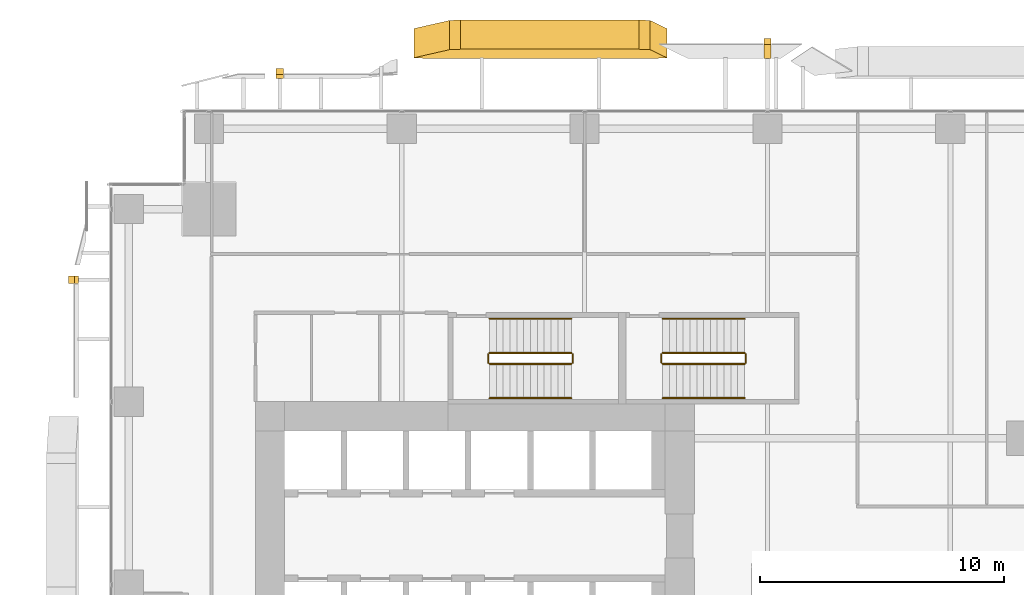
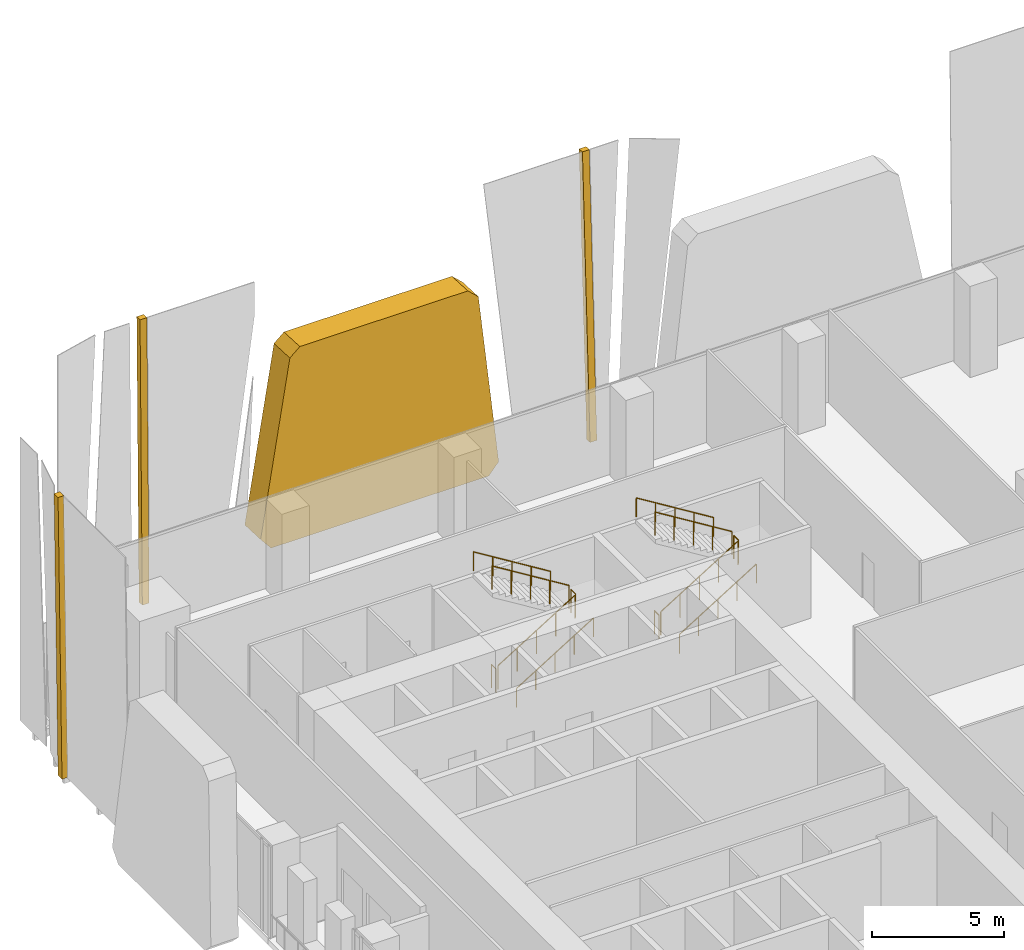
# One storey, part 35 of 37: 12 railings, 4 coverings.
"""IFC4 building model written with IfcOpenShell, lengths in metres."""

import ifcopenshell
import ifcopenshell.guid

model = None  # the IFC model being written
_history = None  # IfcOwnerHistory: only IFC2X3 demands one
_inside = {}  # id of a spatial element -> (the spatial element, [elements in it])
_under = {}  # id of a project, library or spatial element -> (it, [spatial elements below it])
_declared = {}  # id of a project -> (the project, [libraries it declares])
_typed = {}  # id of a type object -> (the type object, [elements of that type])
_made_of = {}  # id of a material, layer set ... -> (it, [elements and type objects made of it])


def new_model(schema):
    """Start an empty IFC model of exactly this schema.

    Asked for "IFC4X3", IfcOpenShell would pick the latest addendum, in which some entities
    have other attributes; the version numbers below select the first issue.
    IFC2X3 requires an IfcOwnerHistory on every rooted entity: one is made here for all.
    """
    global model, _history
    if schema == "IFC4X3":
        model = ifcopenshell.file(schema_version=(4, 3, 0, 0))
    else:
        model = ifcopenshell.file(schema=schema)
    _inside.clear()
    _under.clear()
    _declared.clear()
    _typed.clear()
    _made_of.clear()
    _history = None
    if model.schema == "IFC2X3":
        org = make("IfcOrganization", Name="unknown")
        user = make(
            "IfcPersonAndOrganization",
            ThePerson=make("IfcPerson", FamilyName="unknown"),
            TheOrganization=org,
        )
        app = make(
            "IfcApplication",
            ApplicationDeveloper=org,
            Version="unknown",
            ApplicationFullName="unknown",
            ApplicationIdentifier="unknown",
        )
        _history = make(
            "IfcOwnerHistory",
            OwningUser=user,
            OwningApplication=app,
            ChangeAction="ADDED",
            CreationDate=0,
        )
    return model


def make(cls, **values):
    """One entity of the class cls with the attributes given. An attribute that is None is left unset."""
    return model.create_entity(
        cls, **{name: value for name, value in values.items() if value is not None}
    )


def rooted(cls, **values):
    """An entity with a GlobalId (a new one), such as an element, a storey or a relation."""
    return make(cls, GlobalId=ifcopenshell.guid.new(), OwnerHistory=_history, **values)


def si_unit(unit_type, name, prefix=None):
    """IfcSIUnit, for example si_unit("LENGTHUNIT", "METRE", prefix="MILLI")."""
    return make("IfcSIUnit", UnitType=unit_type, Prefix=prefix, Name=name)


def assignment(units):
    """IfcUnitAssignment: the units of a project."""
    return None if units is None else make("IfcUnitAssignment", Units=units)


def point(xyz):
    """IfcCartesianPoint."""
    return None if xyz is None else make("IfcCartesianPoint", Coordinates=xyz)


def direction(xyz):
    """IfcDirection."""
    return None if xyz is None else make("IfcDirection", DirectionRatios=xyz)


def frame(location, z_axis=None, x_axis=None):
    """IfcAxis2Placement3D, a coordinate frame: its origin and axes. An axis left out is left unset."""
    return make(
        "IfcAxis2Placement3D",
        Location=point(location),
        Axis=direction(z_axis),
        RefDirection=direction(x_axis),
    )


def frame_2d(location, x_axis=None):
    """IfcAxis2Placement2D, a coordinate frame in the plane: its origin and x axis."""
    return make(
        "IfcAxis2Placement2D", Location=point(location), RefDirection=direction(x_axis)
    )


def origin():
    """The frame at (0, 0, 0) with its axes left unset."""
    return frame((0.0, 0.0, 0.0))


def origin_2d():
    """The frame at (0, 0) in the plane with its x axis left unset."""
    return frame_2d((0.0, 0.0))


def place(relative_to, where):
    """IfcLocalPlacement: puts the frame where relative to a parent placement (None: the world)."""
    return make(
        "IfcLocalPlacement", PlacementRelTo=relative_to, RelativePlacement=where
    )


def context(
    kind, dimensions, precision=None, world=None, true_north=None, identifier=None
):
    """IfcGeometricRepresentationContext, for example the 3D "Model" context."""
    return make(
        "IfcGeometricRepresentationContext",
        ContextIdentifier=identifier,
        ContextType=kind,
        CoordinateSpaceDimension=dimensions,
        Precision=precision,
        WorldCoordinateSystem=world,
        TrueNorth=true_north,
    )


def subcontext(parent, identifier, kind, view, scale=None):
    """IfcGeometricRepresentationSubContext, for example "Body" below "Model"."""
    return make(
        "IfcGeometricRepresentationSubContext",
        ContextIdentifier=identifier,
        ContextType=kind,
        ParentContext=parent,
        TargetScale=scale,
        TargetView=view,
    )


def project(units=None, contexts=None):
    """IfcProject with its units and contexts."""
    return rooted(
        "IfcProject",
        Name="project",
        RepresentationContexts=contexts,
        UnitsInContext=assignment(units),
    )


def spatial(cls, under=None, at=None, **own):
    """A site, building, storey or space (cls), placed at a placement, below another one or the project."""
    s = rooted(cls, ObjectPlacement=at, **own)
    if under is not None:
        _under.setdefault(under.id(), (under, []))[1].append(s)
    return s


def polyline(points):
    """IfcPolyline through the points."""
    return make("IfcPolyline", Points=[point(p) for p in points])


def profile(cls, at=None, kind="AREA", **sizes):
    """A parametric profile (cls). Its sizes go by their IFC names, for example OverallWidth=200.0."""
    return make(cls, ProfileType=kind, Position=at, **sizes)


def circle(**sizes):
    """IfcCircleProfileDef."""
    return profile("IfcCircleProfileDef", **sizes)


def outline(outer, holes=None, kind="AREA"):
    """IfcArbitraryClosedProfileDef: a profile drawn as a closed curve; with holes, ...WithVoids."""
    if holes is None:
        return make("IfcArbitraryClosedProfileDef", ProfileType=kind, OuterCurve=outer)
    return make(
        "IfcArbitraryProfileDefWithVoids",
        ProfileType=kind,
        OuterCurve=outer,
        InnerCurves=holes,
    )


def extrude(swept, where, along, depth):
    """IfcExtrudedAreaSolid: the profile swept, set in the frame where, extruded along a direction by depth."""
    return make(
        "IfcExtrudedAreaSolid",
        SweptArea=swept,
        Position=where,
        ExtrudedDirection=direction(along),
        Depth=depth,
    )


def shape(context_of_items, identifier, shape_type, items):
    """IfcShapeRepresentation: the items that make up one representation, for example the "Body"."""
    return make(
        "IfcShapeRepresentation",
        ContextOfItems=context_of_items,
        RepresentationIdentifier=identifier,
        RepresentationType=shape_type,
        Items=items,
    )


def source(mapping_origin, context_of_items, identifier, shape_type, items):
    """IfcRepresentationMap: a shape defined once, which mapped items show again and again."""
    return make(
        "IfcRepresentationMap",
        MappingOrigin=mapping_origin,
        MappedRepresentation=shape(context_of_items, identifier, shape_type, items),
    )


def transform(
    local_origin,
    x_axis=None,
    y_axis=None,
    z_axis=None,
    scale=None,
    scale2=None,
    scale3=None,
    uniform=True,
):
    """IfcCartesianTransformationOperator3D, or its non-uniform kind. x_axis, y_axis, z_axis: its Axis1, 2, 3."""
    if uniform:
        return make(
            "IfcCartesianTransformationOperator3D",
            Axis1=direction(x_axis),
            Axis2=direction(y_axis),
            LocalOrigin=point(local_origin),
            Scale=scale,
            Axis3=direction(z_axis),
        )
    return make(
        "IfcCartesianTransformationOperator3DnonUniform",
        Axis1=direction(x_axis),
        Axis2=direction(y_axis),
        LocalOrigin=point(local_origin),
        Scale=scale,
        Axis3=direction(z_axis),
        Scale2=scale2,
        Scale3=scale3,
    )


def mapped(mapping_source, mapping_target):
    """IfcMappedItem: shows the shape of a source again, moved by a transform."""
    return make(
        "IfcMappedItem", MappingSource=mapping_source, MappingTarget=mapping_target
    )


def material(Name=None, Category=None):
    """IfcMaterial."""
    return make("IfcMaterial", Name=Name, Category=Category)


def layer(
    of_material, thickness, ventilated=None, Name=None, Category=None, Priority=None
):
    """IfcMaterialLayer: one layer of a wall or slab, of a material (None: an air gap)."""
    return make(
        "IfcMaterialLayer",
        Material=of_material,
        LayerThickness=thickness,
        IsVentilated=ventilated,
        Name=Name,
        Category=Category,
        Priority=Priority,
    )


def layer_set(layers, Name=None):
    """IfcMaterialLayerSet."""
    return make("IfcMaterialLayerSet", MaterialLayers=layers, LayerSetName=Name)


def made_of(thing, what):
    """Note that an element or type object is made of a material, layer set ...; save() writes the relation."""
    if what is not None:
        _made_of.setdefault(what.id(), (what, []))[1].append(thing)
    return thing


def type_object(cls, material=None, **own):
    """A type object (cls), such as IfcWallType, which elements share."""
    return made_of(rooted(cls, **own), material)


def element(
    cls,
    number,
    at=None,
    inside=None,
    cuts=None,
    type_object=None,
    material=None,
    context=None,
    identifier="Body",
    shape_type=None,
    held_by="IfcProductDefinitionShape",
    body=None,
    shapes=None,
    **own,
):
    """One element of the class cls, such as IfcWall. Its Tag is "e" and its number.

    at: its placement. inside: the storey or other place that contains it. cuts: it is an
    opening in that element (IfcRelVoidsElement). A single representation is given by context,
    identifier, shape_type and body (its items); several are given by shapes. held_by: the class
    of the entity that holds the representations. save() writes the other relations.
    """
    e = rooted(cls, Tag="e%d" % number, ObjectPlacement=at, **own)
    if body is not None:
        shapes = [shape(context, identifier, shape_type, body)]
    if shapes is not None:
        e.Representation = make(held_by, Representations=shapes)
    if inside is not None:
        _inside.setdefault(inside.id(), (inside, []))[1].append(e)
    if cuts is not None:
        rooted(
            "IfcRelVoidsElement", RelatingBuildingElement=cuts, RelatedOpeningElement=e
        )
    if type_object is not None:
        _typed.setdefault(type_object.id(), (type_object, []))[1].append(e)
    return made_of(e, material)


def aggregate(whole, parts):
    """IfcRelAggregates: a whole, such as a stair, and the parts it consists of."""
    return rooted("IfcRelAggregates", RelatingObject=whole, RelatedObjects=parts)


def save(model, path):
    """Write the relations noted so far, then the file.

    IfcRelAggregates (storeys below a building ...), IfcRelContainedInSpatialStructure (elements
    in a storey), IfcRelDefinesByType, IfcRelAssociatesMaterial and IfcRelDeclares: one each for
    every whole, place, type object, material and project.
    """
    for whole, parts in _under.values():
        aggregate(whole, parts)
    for where, things in _inside.values():
        rooted(
            "IfcRelContainedInSpatialStructure",
            RelatedElements=things,
            RelatingStructure=where,
        )
    for kind, things in _typed.values():
        rooted("IfcRelDefinesByType", RelatedObjects=things, RelatingType=kind)
    for what, things in _made_of.values():
        rooted("IfcRelAssociatesMaterial", RelatedObjects=things, RelatingMaterial=what)
    for by, libraries in _declared.values():
        rooted("IfcRelDeclares", RelatingContext=by, RelatedDefinitions=libraries)
    model.write(path)


model = new_model("IFC4")

# Units and contexts
model_context = context("Model", 3, precision=1e-05, world=origin(), true_north=direction((0.0, 1.0)))
body_context = subcontext(model_context, "Body", "Model", "MODEL_VIEW")
ifc_project = project(units=[si_unit("LENGTHUNIT", "METRE"), si_unit("AREAUNIT", "SQUARE_METRE"), si_unit("VOLUMEUNIT", "CUBIC_METRE"), si_unit("PLANEANGLEUNIT", "RADIAN"), si_unit("MASSUNIT", "GRAM", prefix="KILO")], contexts=[model_context])

# Site, building, storey
site_placement = place(None, origin())
site = spatial("IfcSite", under=ifc_project, at=site_placement, CompositionType="ELEMENT")
building_placement = place(site_placement, origin())
building = spatial("IfcBuilding", under=site, at=building_placement, Name="Khomas Fold Tower", CompositionType="ELEMENT")
storey_placement = place(building_placement, frame((0.0, 0.0, 60.0)))
storey = spatial("IfcBuildingStorey", under=building, at=storey_placement, Name="L12", CompositionType="ELEMENT", Elevation=60.0)

# Coverings
ifc_material_1 = material(Name="Natural stone cladding", Category="masonry")
ifc_layer_1 = layer(ifc_material_1, 0.25)
ifc_layer_set_1 = layer_set([ifc_layer_1], Name="Natural stone cladding")
covering_type_1 = type_object("IfcCoveringType", Name="SK-Karibib marble stone mullion", PredefinedType="CLADDING", material=ifc_layer_set_1)
covering_1_placement = place(storey_placement, frame((6.85009765625, 55.254638671875, 0.0), z_axis=(0.0, -0.999913527075, 0.013150603512), x_axis=(0.0, 0.013150603512, 0.999913527075)))
element("IfcCovering", 1, at=covering_1_placement, inside=storey, type_object=covering_type_1, Name="OUTER SKIN mullion L12 NM099-3", PredefinedType="CLADDING", context=body_context, shape_type="SweptSolid", body=[
    extrude(outline(polyline([(0.0, 0.0), (13.051177401611568, 0.0), (13.051177401611568, -0.2998046875), (0.0, -0.2998046875), (0.0, 0.0)])), origin(), (0.0, 0.0, -1.0), 0.25),
])
covering_2_placement = place(storey_placement, frame((26.85009765625, 56.08251953125, 0.0), z_axis=(0.0, -0.99904235518, 0.043753543365), x_axis=(0.0, 0.043753543365, 0.99904235518)))
element("IfcCovering", 2, at=covering_2_placement, inside=storey, type_object=covering_type_1, Name="OUTER SKIN mullion L12 NM103-7", PredefinedType="CLADDING", context=body_context, shape_type="SweptSolid", body=[
    extrude(outline(polyline([(0.0, 0.0), (13.062558119247587, 0.0), (13.062558119247587, -0.2998046875), (0.0, -0.2998046875), (0.0, 0.0)])), origin(), (0.0, 0.0, -1.0), 0.25),
])
covering_3_placement = place(storey_placement, frame((-1.42626953125, 47.14990234375, 13.050048828125), z_axis=(0.999913527075, 0.0, 0.013150603512), x_axis=(0.013150603512, 0.0, -0.999913527075)))
element("IfcCovering", 3, at=covering_3_placement, inside=storey, type_object=covering_type_1, Name="OUTER SKIN mullion L12 WM107-9", PredefinedType="CLADDING", context=body_context, shape_type="SweptSolid", body=[
    extrude(outline(polyline([(0.0, 0.0), (13.051177401611568, 0.0), (13.051177401611568, -0.2998046875), (0.0, -0.2998046875), (0.0, 0.0)])), origin(), (0.0, 0.0, -1.0), 0.25),
])
ifc_material_2 = material(Name="Natural stone cladding", Category="masonry")
ifc_layer_2 = layer(ifc_material_2, 1.199951171875)
ifc_layer_set_2 = layer_set([ifc_layer_2], Name="Natural stone cladding")
covering_type_2 = type_object("IfcCoveringType", Name="SK-Karibib marble stone panel", PredefinedType="CLADDING", material=ifc_layer_set_2)
covering_4_placement = place(storey_placement, frame((22.185546875, 56.43896484375, 8.140625), z_axis=(-1.823468e-06, -0.999042159085, 0.043758020615), x_axis=(0.09040111896, -0.04357901529, -0.994951509933)))
element("IfcCovering", 4, at=covering_4_placement, inside=storey, type_object=covering_type_2, Name="OUTER SKIN leaf L12 NS05-1", PredefinedType="CLADDING", context=body_context, shape_type="SweptSolid", body=[
    extrude(outline(polyline([(0.0, 0.0), (7.6887141130089525, 1.1102230246251565e-16), (8.137374033394394, -0.4908112041808983), (7.279402085527152, -9.942673490219056), (6.706221331364974, -10.334355607390618), (-0.7868370395581861, -8.178910858568056), (-1.110959902700537, -7.705532840862893), (-0.4486657675047703, -0.4093584446229116), (0.0, 0.0)])), origin(), (0.0, 0.0, -1.0), 1.199951171875),
])

# Railings
ifc_material_3 = material(Name="Steel balustrade", Category="steel")
railing_type_1 = type_object("IfcRailingType", Name="Stair guard", PredefinedType="GUARDRAIL", material=ifc_material_3)
shared_shape_1 = source(origin(), body_context, "Body", "SweptSolid", [
    extrude(circle(Radius=0.02392578125, at=origin_2d()), frame((0.0, 0.0, 1.076171875), z_axis=(0.850606129759, 0.0, 0.525803396734), x_axis=(0.0, 1.0, 0.0)), (0.0, 0.0, 1.0), 3.949951171875),
    extrude(circle(Radius=0.02099609375, at=origin_2d()), origin(), (0.0, 0.0, 1.0), 1.052001953125),
    extrude(circle(Radius=0.02099609375, at=origin_2d()), frame((0.83984375, 0.0, 0.519287109375)), (0.0, 0.0, 1.0), 1.052001953125),
    extrude(circle(Radius=0.02099609375, at=origin_2d()), frame((1.679931640625, 0.0, 1.03857421875)), (0.0, 0.0, 1.0), 1.052001953125),
    extrude(circle(Radius=0.02099609375, at=origin_2d()), frame((2.52001953125, 0.0, 1.5576171875)), (0.0, 0.0, 1.0), 1.052001953125),
    extrude(circle(Radius=0.02099609375, at=origin_2d()), frame((3.35986328125, 0.0, 2.076904296875)), (0.0, 0.0, 1.0), 1.052001953125),
])
railing_1_placement = place(storey_placement, frame((15.60009765625, 43.550048828125, 0.173095703125)))
element("IfcRailing", 5, at=railing_1_placement, inside=storey, type_object=railing_type_1, Name="L12 ST1 stair guard 1", PredefinedType="GUARDRAIL", context=body_context, shape_type="MappedRepresentation", body=[
    mapped(shared_shape_1, transform((0.0, 0.0, 0.0))),
])
shared_shape_2 = source(origin(), body_context, "Body", "SweptSolid", [
    extrude(circle(Radius=0.02392578125, at=origin_2d()), frame((0.0, 0.0, 1.076171875), z_axis=(0.0, 1.0, 0.0), x_axis=(-1.0, 0.0, 0.0)), (0.0, 0.0, 1.0), 0.349853515625),
    extrude(circle(Radius=0.02099609375, at=origin_2d()), origin(), (0.0, 0.0, 1.0), 1.052001953125),
    extrude(circle(Radius=0.02099609375, at=origin_2d()), frame((0.0, 0.349853515625, 0.0)), (0.0, 0.0, 1.0), 1.052001953125),
])
for number, where, name in (
    (6, (19.010009765625, 43.60009765625, 2.25), "L12 ST1 stair guard 2"),
    (7, (15.550048828125, 43.60009765625, 0.0), "L12 ST1 stair guard 4"),
    (8, (26.110107421875, 43.60009765625, 2.25), "L12 ST3 stair guard 2"),
    (9, (22.64990234375, 43.60009765625, 0.0), "L12 ST3 stair guard 4"),
):
    element("IfcRailing", number, at=place(storey_placement, frame(where)), inside=storey, type_object=railing_type_1, Name=name, PredefinedType="GUARDRAIL", context=body_context, shape_type="MappedRepresentation", body=[
        mapped(shared_shape_2, transform((0.0, 0.0, 0.0))),
    ])
shared_shape_3 = source(origin(), body_context, "Body", "SweptSolid", [
    extrude(circle(Radius=0.02392578125, at=origin_2d()), frame((0.0, 0.0, 1.076171875), z_axis=(-0.850606129759, 0.0, 0.525803396734), x_axis=(0.0, -1.0, 0.0)), (0.0, 0.0, 1.0), 3.949951171875),
    extrude(circle(Radius=0.02099609375, at=origin_2d()), origin(), (0.0, 0.0, 1.0), 1.052001953125),
    extrude(circle(Radius=0.02099609375, at=origin_2d()), frame((-0.83984375, 0.0, 0.519287109375)), (0.0, 0.0, 1.0), 1.052001953125),
    extrude(circle(Radius=0.02099609375, at=origin_2d()), frame((-1.679931640625, 0.0, 1.03857421875)), (0.0, 0.0, 1.0), 1.052001953125),
    extrude(circle(Radius=0.02099609375, at=origin_2d()), frame((-2.52001953125, 0.0, 1.5576171875)), (0.0, 0.0, 1.0), 1.052001953125),
    extrude(circle(Radius=0.02099609375, at=origin_2d()), frame((-3.35986328125, 0.0, 2.076904296875)), (0.0, 0.0, 1.0), 1.052001953125),
])
railing_2_placement = place(storey_placement, frame((18.9599609375, 44.0, 2.423095703125)))
element("IfcRailing", 10, at=railing_2_placement, inside=storey, type_object=railing_type_1, Name="L12 ST1 stair guard 3", PredefinedType="GUARDRAIL", context=body_context, shape_type="MappedRepresentation", body=[
    mapped(shared_shape_3, transform((0.0, 0.0, 0.0))),
])
ifc_material_4 = material(Name="Steel handrail", Category="steel")
railing_type_2 = type_object("IfcRailingType", Name="Stair handrail", PredefinedType="HANDRAIL", material=ifc_material_4)
shared_shape_4 = source(origin(), body_context, "Body", "SweptSolid", [
    extrude(circle(Radius=0.02392578125, at=origin_2d()), frame((0.0, 0.0, 0.8759765625), z_axis=(0.850606129759, 0.0, 0.525803396734), x_axis=(0.0, 1.0, 0.0)), (0.0, 0.0, 1.0), 3.949951171875),
    extrude(circle(Radius=0.02099609375, at=origin_2d()), origin(), (0.0, 0.0, 1.0), 0.851806640625),
    extrude(circle(Radius=0.02099609375, at=origin_2d()), frame((0.83984375, 0.0, 0.519287109375)), (0.0, 0.0, 1.0), 0.851806640625),
    extrude(circle(Radius=0.02099609375, at=origin_2d()), frame((1.679931640625, 0.0, 1.03857421875)), (0.0, 0.0, 1.0), 0.851806640625),
    extrude(circle(Radius=0.02099609375, at=origin_2d()), frame((2.52001953125, 0.0, 1.5576171875)), (0.0, 0.0, 1.0), 0.851806640625),
    extrude(circle(Radius=0.02099609375, at=origin_2d()), frame((3.35986328125, 0.0, 2.076904296875)), (0.0, 0.0, 1.0), 0.851806640625),
])
railing_3_placement = place(storey_placement, frame((15.60009765625, 42.14990234375, 0.173095703125)))
element("IfcRailing", 11, at=railing_3_placement, inside=storey, type_object=railing_type_2, Name="L12 ST1 stair handrail 1", PredefinedType="HANDRAIL", context=body_context, shape_type="MappedRepresentation", body=[
    mapped(shared_shape_4, transform((0.0, 0.0, 0.0))),
])
shared_shape_5 = source(origin(), body_context, "Body", "SweptSolid", [
    extrude(circle(Radius=0.02392578125, at=origin_2d()), frame((0.0, 0.0, 0.8759765625), z_axis=(-0.850606129759, 0.0, 0.525803396734), x_axis=(0.0, -1.0, 0.0)), (0.0, 0.0, 1.0), 3.949951171875),
    extrude(circle(Radius=0.02099609375, at=origin_2d()), origin(), (0.0, 0.0, 1.0), 0.851806640625),
    extrude(circle(Radius=0.02099609375, at=origin_2d()), frame((-0.83984375, 0.0, 0.519287109375)), (0.0, 0.0, 1.0), 0.851806640625),
    extrude(circle(Radius=0.02099609375, at=origin_2d()), frame((-1.679931640625, 0.0, 1.03857421875)), (0.0, 0.0, 1.0), 0.851806640625),
    extrude(circle(Radius=0.02099609375, at=origin_2d()), frame((-2.52001953125, 0.0, 1.5576171875)), (0.0, 0.0, 1.0), 0.851806640625),
    extrude(circle(Radius=0.02099609375, at=origin_2d()), frame((-3.35986328125, 0.0, 2.076904296875)), (0.0, 0.0, 1.0), 0.851806640625),
])
railing_4_placement = place(storey_placement, frame((18.9599609375, 45.39990234375, 2.423095703125)))
element("IfcRailing", 12, at=railing_4_placement, inside=storey, type_object=railing_type_2, Name="L12 ST1 stair handrail 2", PredefinedType="HANDRAIL", context=body_context, shape_type="MappedRepresentation", body=[
    mapped(shared_shape_5, transform((0.0, 0.0, 0.0))),
])
shared_shape_6 = source(origin(), body_context, "Body", "SweptSolid", [
    extrude(circle(Radius=0.02392578125, at=origin_2d()), frame((0.0, 0.0, 1.076171875), z_axis=(0.850623216509, 0.0, 0.525775754039), x_axis=(0.0, 1.0, 0.0)), (0.0, 0.0, 1.0), 3.9501953125),
    extrude(circle(Radius=0.02099609375, at=origin_2d()), origin(), (0.0, 0.0, 1.0), 1.052001953125),
    extrude(circle(Radius=0.02099609375, at=origin_2d()), frame((0.840087890625, 0.0, 0.519287109375)), (0.0, 0.0, 1.0), 1.052001953125),
    extrude(circle(Radius=0.02099609375, at=origin_2d()), frame((1.68017578125, 0.0, 1.03857421875)), (0.0, 0.0, 1.0), 1.052001953125),
    extrude(circle(Radius=0.02099609375, at=origin_2d()), frame((2.52001953125, 0.0, 1.5576171875)), (0.0, 0.0, 1.0), 1.052001953125),
    extrude(circle(Radius=0.02099609375, at=origin_2d()), frame((3.360107421875, 0.0, 2.076904296875)), (0.0, 0.0, 1.0), 1.052001953125),
])
railing_5_placement = place(storey_placement, frame((22.699951171875, 43.550048828125, 0.173095703125)))
element("IfcRailing", 13, at=railing_5_placement, inside=storey, type_object=railing_type_1, Name="L12 ST3 stair guard 1", PredefinedType="GUARDRAIL", context=body_context, shape_type="MappedRepresentation", body=[
    mapped(shared_shape_6, transform((0.0, 0.0, 0.0))),
])
shared_shape_7 = source(origin(), body_context, "Body", "SweptSolid", [
    extrude(circle(Radius=0.02392578125, at=origin_2d()), frame((0.0, 0.0, 1.076171875), z_axis=(-0.850623216509, 0.0, 0.525775754039), x_axis=(0.0, -1.0, 0.0)), (0.0, 0.0, 1.0), 3.9501953125),
    extrude(circle(Radius=0.02099609375, at=origin_2d()), origin(), (0.0, 0.0, 1.0), 1.052001953125),
    extrude(circle(Radius=0.02099609375, at=origin_2d()), frame((-0.840087890625, 0.0, 0.519287109375)), (0.0, 0.0, 1.0), 1.052001953125),
    extrude(circle(Radius=0.02099609375, at=origin_2d()), frame((-1.68017578125, 0.0, 1.03857421875)), (0.0, 0.0, 1.0), 1.052001953125),
    extrude(circle(Radius=0.02099609375, at=origin_2d()), frame((-2.52001953125, 0.0, 1.5576171875)), (0.0, 0.0, 1.0), 1.052001953125),
    extrude(circle(Radius=0.02099609375, at=origin_2d()), frame((-3.360107421875, 0.0, 2.076904296875)), (0.0, 0.0, 1.0), 1.052001953125),
])
railing_6_placement = place(storey_placement, frame((26.06005859375, 44.0, 2.423095703125)))
element("IfcRailing", 14, at=railing_6_placement, inside=storey, type_object=railing_type_1, Name="L12 ST3 stair guard 3", PredefinedType="GUARDRAIL", context=body_context, shape_type="MappedRepresentation", body=[
    mapped(shared_shape_7, transform((0.0, 0.0, 0.0))),
])
shared_shape_8 = source(origin(), body_context, "Body", "SweptSolid", [
    extrude(circle(Radius=0.02392578125, at=origin_2d()), frame((0.0, 0.0, 0.8759765625), z_axis=(0.850623216509, 0.0, 0.525775754039), x_axis=(0.0, 1.0, 0.0)), (0.0, 0.0, 1.0), 3.9501953125),
    extrude(circle(Radius=0.02099609375, at=origin_2d()), origin(), (0.0, 0.0, 1.0), 0.851806640625),
    extrude(circle(Radius=0.02099609375, at=origin_2d()), frame((0.840087890625, 0.0, 0.519287109375)), (0.0, 0.0, 1.0), 0.851806640625),
    extrude(circle(Radius=0.02099609375, at=origin_2d()), frame((1.68017578125, 0.0, 1.03857421875)), (0.0, 0.0, 1.0), 0.851806640625),
    extrude(circle(Radius=0.02099609375, at=origin_2d()), frame((2.52001953125, 0.0, 1.5576171875)), (0.0, 0.0, 1.0), 0.851806640625),
    extrude(circle(Radius=0.02099609375, at=origin_2d()), frame((3.360107421875, 0.0, 2.076904296875)), (0.0, 0.0, 1.0), 0.851806640625),
])
railing_7_placement = place(storey_placement, frame((22.699951171875, 42.14990234375, 0.173095703125)))
element("IfcRailing", 15, at=railing_7_placement, inside=storey, type_object=railing_type_2, Name="L12 ST3 stair handrail 1", PredefinedType="HANDRAIL", context=body_context, shape_type="MappedRepresentation", body=[
    mapped(shared_shape_8, transform((0.0, 0.0, 0.0))),
])
shared_shape_9 = source(origin(), body_context, "Body", "SweptSolid", [
    extrude(circle(Radius=0.02392578125, at=origin_2d()), frame((0.0, 0.0, 0.8759765625), z_axis=(-0.850623216509, 0.0, 0.525775754039), x_axis=(0.0, -1.0, 0.0)), (0.0, 0.0, 1.0), 3.9501953125),
    extrude(circle(Radius=0.02099609375, at=origin_2d()), origin(), (0.0, 0.0, 1.0), 0.851806640625),
    extrude(circle(Radius=0.02099609375, at=origin_2d()), frame((-0.840087890625, 0.0, 0.519287109375)), (0.0, 0.0, 1.0), 0.851806640625),
    extrude(circle(Radius=0.02099609375, at=origin_2d()), frame((-1.68017578125, 0.0, 1.03857421875)), (0.0, 0.0, 1.0), 0.851806640625),
    extrude(circle(Radius=0.02099609375, at=origin_2d()), frame((-2.52001953125, 0.0, 1.5576171875)), (0.0, 0.0, 1.0), 0.851806640625),
    extrude(circle(Radius=0.02099609375, at=origin_2d()), frame((-3.360107421875, 0.0, 2.076904296875)), (0.0, 0.0, 1.0), 0.851806640625),
])
railing_8_placement = place(storey_placement, frame((26.06005859375, 45.39990234375, 2.423095703125)))
element("IfcRailing", 16, at=railing_8_placement, inside=storey, type_object=railing_type_2, Name="L12 ST3 stair handrail 2", PredefinedType="HANDRAIL", context=body_context, shape_type="MappedRepresentation", body=[
    mapped(shared_shape_9, transform((0.0, 0.0, 0.0))),
])

save(model, "model.ifc")
